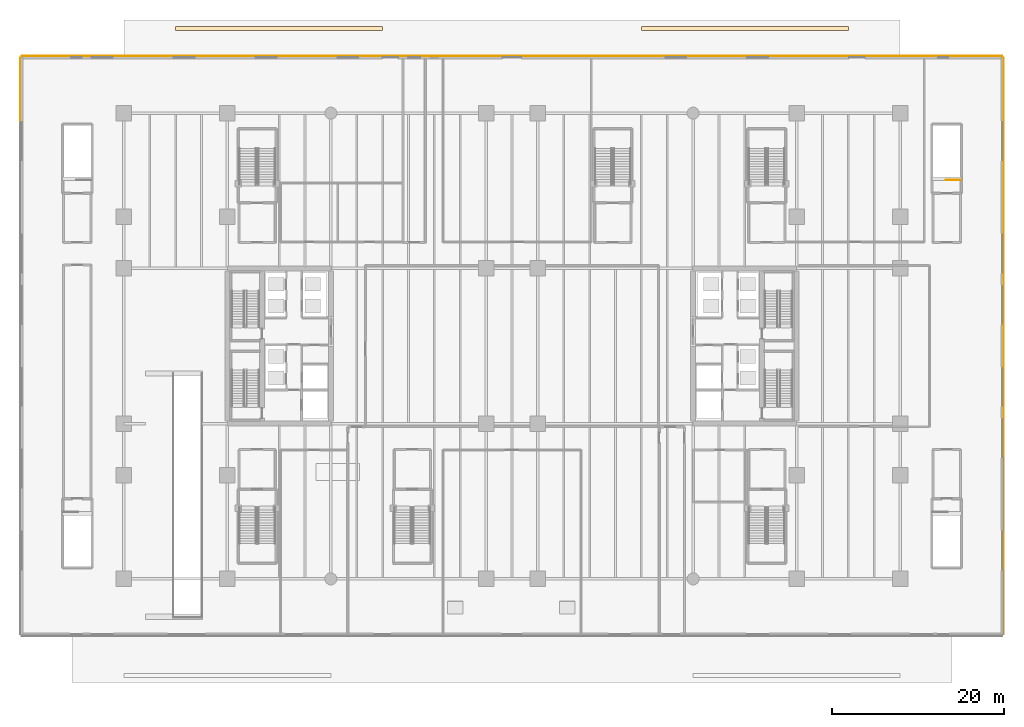
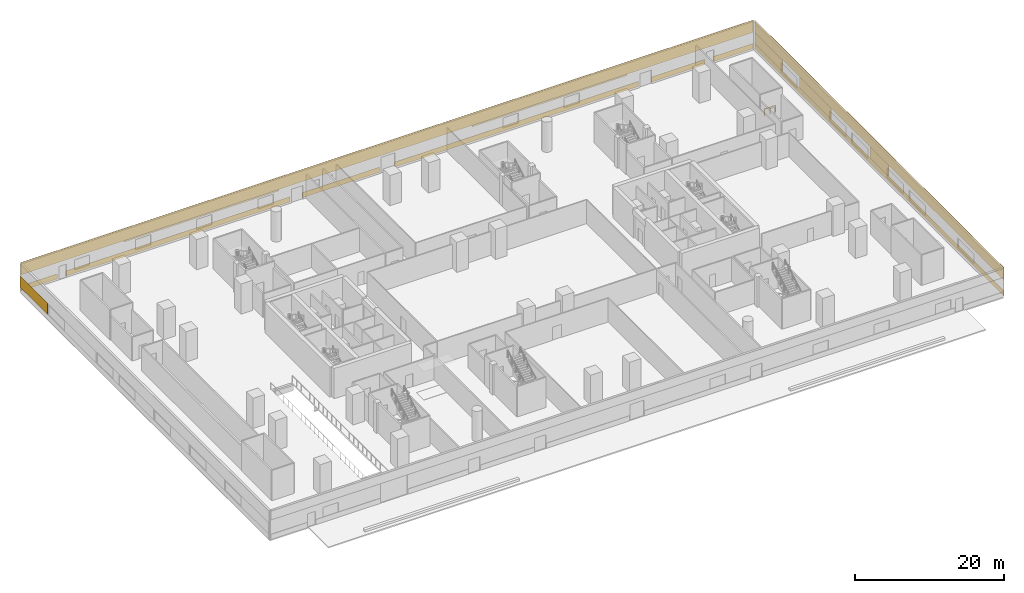
# One storey, part 24 of 25: 15 coverings, 1 railing.
"""IFC4 building model written with IfcOpenShell, lengths in metres."""

from ifc_helpers import new_model, si_unit, direction, frame, origin, origin_2d, place, context, subcontext, project, spatial, polyline, rectangle, outline, extrude, material, layer, layer_set, type_object, element, save


model = new_model("IFC4")

# Units and contexts
model_context = context("Model", 3, precision=1e-05, world=origin(), true_north=direction((0.0, 1.0)))
body_context = subcontext(model_context, "Body", "Model", "MODEL_VIEW")
ifc_project = project(units=[si_unit("LENGTHUNIT", "METRE"), si_unit("AREAUNIT", "SQUARE_METRE"), si_unit("VOLUMEUNIT", "CUBIC_METRE"), si_unit("PLANEANGLEUNIT", "RADIAN"), si_unit("MASSUNIT", "GRAM", prefix="KILO")], contexts=[model_context])

# Site, building, storey
site_placement = place(None, origin())
site = spatial("IfcSite", under=ifc_project, at=site_placement, CompositionType="ELEMENT")
building_placement = place(site_placement, origin())
building = spatial("IfcBuilding", under=site, at=building_placement, Name="Tanjung Sevakor Pilgrim Tower", CompositionType="ELEMENT")
storey_placement = place(building_placement, origin())
storey = spatial("IfcBuildingStorey", under=building, at=storey_placement, Name="L01", CompositionType="ELEMENT", Elevation=0.0)

# Coverings
ifc_material_1 = material(Name="Reconstructed Limestone Cladding", Category="masonry")
ifc_layer_1 = layer(ifc_material_1, 0.044921875)
ifc_layer_set_1 = layer_set([ifc_layer_1], Name="COV-CLAD-LIMESTONE")
covering_type_1 = type_object("IfcCoveringType", Name="COV-CLAD-LIMESTONE", PredefinedType="CLADDING", material=ifc_layer_set_1)
covering_1_placement = place(storey_placement, frame((114.0224609375, 33.60009765625, 0.009765625), z_axis=(0.0, 0.0, 1.0), x_axis=(0.0, 1.0, 0.0)))
element("IfcCovering", 1, at=covering_1_placement, inside=storey, type_object=covering_type_1, Name="L01 Warm Limestone Sill Spandrel EW-L01-MAIN-2-1", PredefinedType="CLADDING", context=body_context, shape_type="SweptSolid", body=[
    extrude(rectangle(XDim=66.820068359375, YDim=0.044921875, at=origin_2d()), origin(), (0.0, 0.0, 1.0), 0.840087890625),
])
covering_2_placement = place(storey_placement, frame((114.0224609375, 33.60009765625, 2.659912109375), z_axis=(0.0, 0.0, 1.0), x_axis=(0.0, 1.0, 0.0)))
element("IfcCovering", 2, at=covering_2_placement, inside=storey, type_object=covering_type_1, Name="L01 Warm Limestone Cornice Spandrel EW-L01-MAIN-2", PredefinedType="CLADDING", context=body_context, shape_type="SweptSolid", body=[
    extrude(rectangle(XDim=66.860107421875, YDim=0.044921875, at=origin_2d()), origin(), (0.0, 0.0, 1.0), 2.0),
])
covering_3_placement = place(storey_placement, frame((114.0224609375, 33.60009765625, 0.849853515625), z_axis=(0.0, 0.0, 1.0), x_axis=(0.0, 1.0, 0.0)))
element("IfcCovering", 3, at=covering_3_placement, inside=storey, type_object=covering_type_1, Name="L01 Warm Limestone Pier Panel EW-L01-MAIN-2-3", PredefinedType="CLADDING", context=body_context, shape_type="SweptSolid", body=[
    extrude(rectangle(XDim=5.0, YDim=0.044921875, at=origin_2d()), origin(), (0.0, 0.0, 1.0), 1.81005859375),
])
covering_4_placement = place(storey_placement, frame((114.0224609375, 50.824951171875, 0.849853515625), z_axis=(0.0, 0.0, 1.0), x_axis=(0.0, 1.0, 0.0)))
element("IfcCovering", 4, at=covering_4_placement, inside=storey, type_object=covering_type_1, Name="L01 Warm Limestone Pier Panel EW-L01-MAIN-2-4", PredefinedType="CLADDING", context=body_context, shape_type="SweptSolid", body=[
    extrude(rectangle(XDim=8.550048828125, YDim=0.044921875, at=origin_2d()), origin(), (0.0, 0.0, 1.0), 1.81005859375),
])
covering_5_placement = place(storey_placement, frame((114.0224609375, 63.304931640625, 0.849853515625), z_axis=(0.0, 0.0, 1.0), x_axis=(0.0, 1.0, 0.0)))
element("IfcCovering", 5, at=covering_5_placement, inside=storey, type_object=covering_type_1, Name="L01 Warm Limestone Pier Panel EW-L01-MAIN-2-5", PredefinedType="CLADDING", context=body_context, shape_type="SweptSolid", body=[
    extrude(rectangle(XDim=7.409912109375, YDim=0.044921875, at=origin_2d()), origin(), (0.0, 0.0, 1.0), 1.81005859375),
])
covering_6_placement = place(storey_placement, frame((110.735107421875, 67.222412109375, 0.009765625), z_axis=(0.0, 0.0, 1.0), x_axis=(-1.0, 0.0, 0.0)))
element("IfcCovering", 6, at=covering_6_placement, inside=storey, type_object=covering_type_1, Name="L01 Warm Limestone Sill Spandrel EW-L01-MAIN-3-1", PredefinedType="CLADDING", context=body_context, shape_type="SweptSolid", body=[
    extrude(rectangle(XDim=6.14990234375, YDim=0.044921875, at=origin_2d()), origin(), (0.0, 0.0, 1.0), 0.840087890625),
])
covering_7_placement = place(storey_placement, frame((102.14990234375, 67.222412109375, 0.009765625), z_axis=(0.0, 0.0, 1.0), x_axis=(-1.0, 0.0, 0.0)))
element("IfcCovering", 7, at=covering_7_placement, inside=storey, type_object=covering_type_1, Name="L01 Warm Limestone Sill Spandrel EW-L01-MAIN-3-2", PredefinedType="CLADDING", context=body_context, shape_type="SweptSolid", body=[
    extrude(rectangle(XDim=8.3798828125, YDim=0.044921875, at=origin_2d()), origin(), (0.0, 0.0, 1.0), 0.840087890625),
])
covering_8_placement = place(storey_placement, frame((77.10009765625, 67.222412109375, 0.009765625), z_axis=(0.0, 0.0, 1.0), x_axis=(-1.0, 0.0, 0.0)))
element("IfcCovering", 8, at=covering_8_placement, inside=storey, type_object=covering_type_1, Name="L01 Warm Limestone Sill Spandrel EW-L01-MAIN-3-3", PredefinedType="CLADDING", context=body_context, shape_type="SweptSolid", body=[
    extrude(rectangle(XDim=37.8798828125, YDim=0.044921875, at=origin_2d()), origin(), (0.0, 0.0, 1.0), 0.840087890625),
])
covering_9_placement = place(storey_placement, frame((49.85009765625, 67.222412109375, 0.009765625), z_axis=(0.0, 0.0, 1.0), x_axis=(-1.0, 0.0, 0.0)))
element("IfcCovering", 9, at=covering_9_placement, inside=storey, type_object=covering_type_1, Name="L01 Warm Limestone Sill Spandrel EW-L01-MAIN-3-4", PredefinedType="CLADDING", context=body_context, shape_type="SweptSolid", body=[
    extrude(rectangle(XDim=11.97998046875, YDim=0.044921875, at=origin_2d()), origin(), (0.0, 0.0, 1.0), 0.840087890625),
])
covering_10_placement = place(storey_placement, frame((24.550048828125, 67.222412109375, 0.009765625), z_axis=(0.0, 0.0, 1.0), x_axis=(-1.0, 0.0, 0.0)))
element("IfcCovering", 10, at=covering_10_placement, inside=storey, type_object=covering_type_1, Name="L01 Warm Limestone Sill Spandrel EW-L01-MAIN-3-5", PredefinedType="CLADDING", context=body_context, shape_type="SweptSolid", body=[
    extrude(rectangle(XDim=34.780029296875, YDim=0.044921875, at=origin_2d()), origin(), (0.0, 0.0, 1.0), 0.840087890625),
])
covering_11_placement = place(storey_placement, frame((3.014892578125, 67.222412109375, 0.009765625), z_axis=(0.0, 0.0, 1.0), x_axis=(-1.0, 0.0, 0.0)))
element("IfcCovering", 11, at=covering_11_placement, inside=storey, type_object=covering_type_1, Name="L01 Warm Limestone Sill Spandrel EW-L01-MAIN-3-6", PredefinedType="CLADDING", context=body_context, shape_type="SweptSolid", body=[
    extrude(rectangle(XDim=5.64990234375, YDim=0.044921875, at=origin_2d()), origin(), (0.0, 0.0, 1.0), 0.840087890625),
])
covering_12_placement = place(storey_placement, frame((57.0, 67.222412109375, 2.659912109375), z_axis=(0.0, 0.0, 1.0), x_axis=(-1.0, 0.0, 0.0)))
element("IfcCovering", 12, at=covering_12_placement, inside=storey, type_object=covering_type_1, Name="L01 Warm Limestone Cornice Spandrel EW-L01-MAIN-3", PredefinedType="CLADDING", context=body_context, shape_type="SweptSolid", body=[
    extrude(rectangle(XDim=113.659912109375, YDim=0.044921875, at=origin_2d()), origin(), (0.0, 0.0, 1.0), 2.0),
])
covering_13_placement = place(storey_placement, frame((-0.0224609375, 63.304931640625, 0.849853515625), z_axis=(0.0, 0.0, 1.0), x_axis=(0.0, -1.0, 0.0)))
element("IfcCovering", 13, at=covering_13_placement, inside=storey, type_object=covering_type_1, Name="L01 Warm Limestone Pier Panel EW-L01-MAIN-4-1", PredefinedType="CLADDING", context=body_context, shape_type="SweptSolid", body=[
    extrude(rectangle(XDim=7.409912109375, YDim=0.044921875, at=origin_2d()), origin(), (0.0, 0.0, 1.0), 1.81005859375),
])
ifc_material_2 = material(Name="Vegetated Modular Planter Assembly", Category="organic")
ifc_layer_2 = layer(ifc_material_2, 0.35009765625)
ifc_layer_set_2 = layer_set([ifc_layer_2], Name="COV-GRN-TROUGH")
covering_type_2 = type_object("IfcCoveringType", Name="COV-GRN-TROUGH", PredefinedType="CLADDING", material=ifc_layer_set_2)
covering_14_placement = place(storey_placement, origin())
element("IfcCovering", 14, at=covering_14_placement, inside=storey, type_object=covering_type_2, Name="L01 Planted Landscape Hedge Trough PLZ-GRN-L01-3", PredefinedType="CLADDING", context=body_context, shape_type="SweptSolid", body=[
    extrude(outline(polyline([(18.0, 70.179931640625), (42.0, 70.179931640625), (42.0, 70.6201171875), (18.0, 70.6201171875), (18.0, 70.179931640625)])), origin(), (0.0, 0.0, 1.0), 0.35009765625),
])
covering_15_placement = place(storey_placement, origin())
element("IfcCovering", 15, at=covering_15_placement, inside=storey, type_object=covering_type_2, Name="L01 Planted Landscape Hedge Trough PLZ-GRN-L01-4", PredefinedType="CLADDING", context=body_context, shape_type="SweptSolid", body=[
    extrude(outline(polyline([(72.0, 70.179931640625), (96.0, 70.179931640625), (96.0, 70.6201171875), (72.0, 70.6201171875), (72.0, 70.179931640625)])), origin(), (0.0, 0.0, 1.0), 0.35009765625),
])

# Railing
ifc_material_3 = material(Name="Steel S355J2", Category="steel")
railing_type = type_object("IfcRailingType", Name="RL-STAIR-GUARD", PredefinedType="GUARDRAIL", material=ifc_material_3)
railing_placement = place(storey_placement, frame((109.0, 52.85009765625, 0.0)))
element("IfcRailing", 16, at=railing_placement, inside=storey, type_object=railing_type, Name="L01 BS-4 top well guard 1", PredefinedType="GUARDRAIL", context=body_context, shape_type="SweptSolid", body=[
    extrude(rectangle(XDim=0.0479, YDim=0.0479), frame((0.0, 0.0, 1.076171875), z_axis=(-1.0, 0.0, 0.0), x_axis=(0.0, -1.0, 0.0)), (0.0, 0.0, 1.0), 1.699951171875),
    extrude(rectangle(XDim=0.042, YDim=0.042), origin(), (0.0, 0.0, 1.0), 1.052001953125),
    extrude(rectangle(XDim=0.042, YDim=0.042), frame((-0.85009765625, 0.0, 0.0)), (0.0, 0.0, 1.0), 1.052001953125),
    extrude(rectangle(XDim=0.042, YDim=0.042), frame((-1.699951171875, 0.0, 0.0)), (0.0, 0.0, 1.0), 1.052001953125),
])

save(model, "model.ifc")
